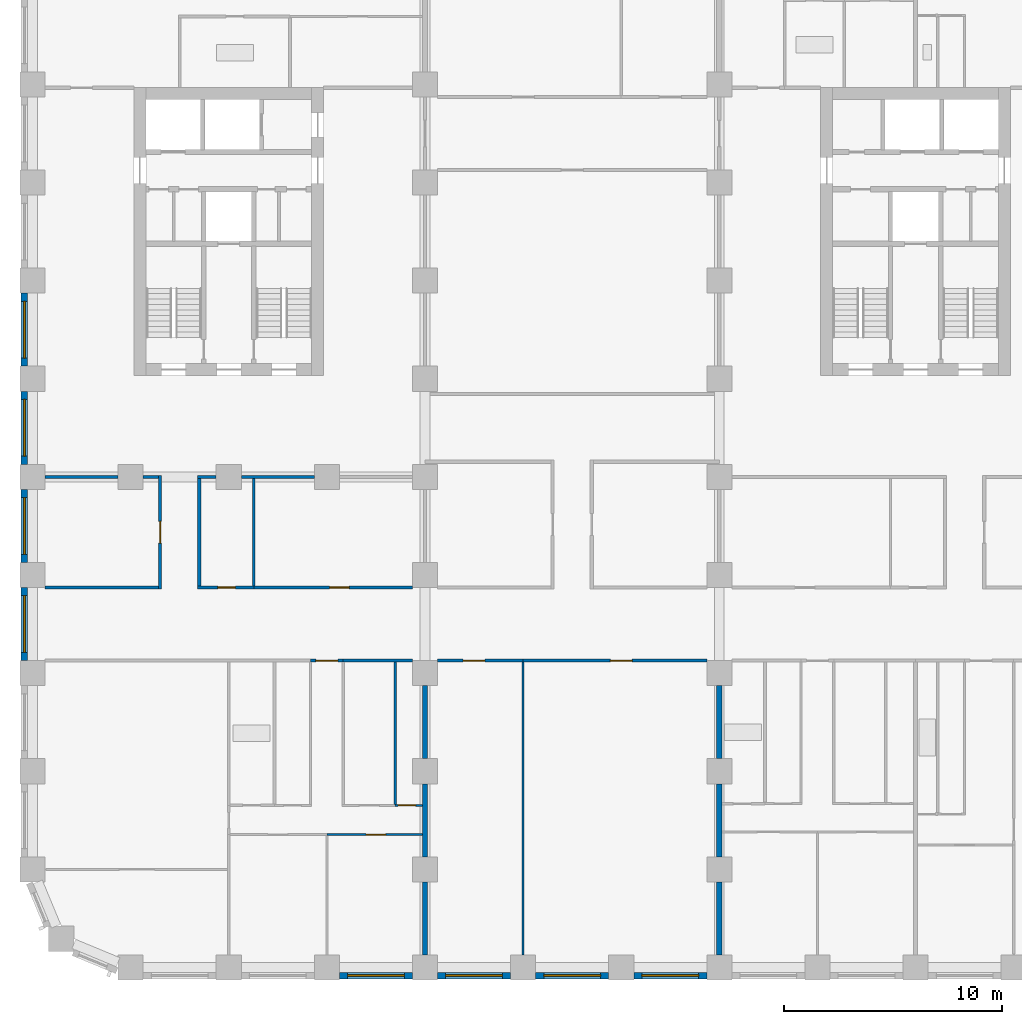
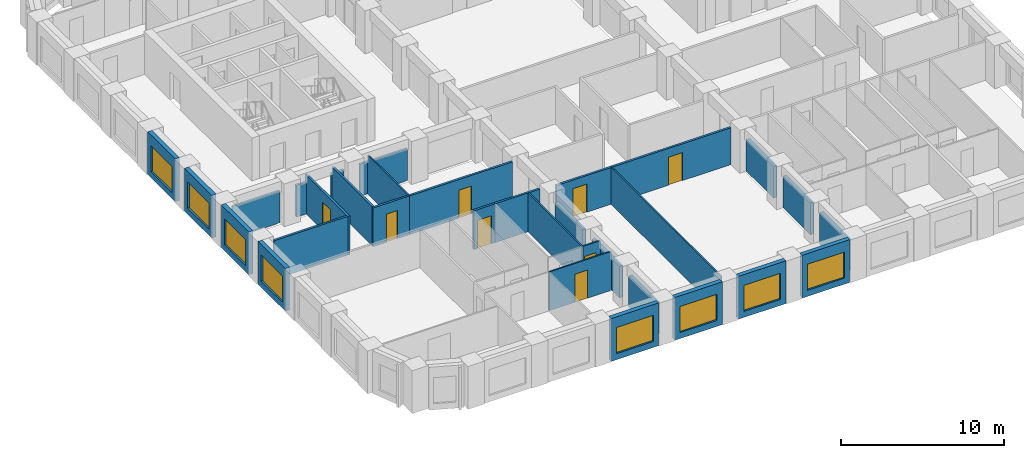
# One storey, part 3 of 12: 32 walls, 8 doors, 8 windows, 16 openings.
"""IFC4 building model written with IfcOpenShell, lengths in metres."""

from ifc_helpers import new_model, si_unit, direction, frame, frame_2d, origin, place, context, subcontext, project, spatial, rectangle, extrude, material, layer, layer_set, type_object, element, fill, save


model = new_model("IFC4")

# Units and contexts
model_context = context("Model", 3, precision=1e-05, world=origin(), true_north=direction((0.0, 1.0)))
body_context = subcontext(model_context, "Body", "Model", "MODEL_VIEW")
ifc_project = project(units=[si_unit("LENGTHUNIT", "METRE"), si_unit("AREAUNIT", "SQUARE_METRE"), si_unit("VOLUMEUNIT", "CUBIC_METRE"), si_unit("PLANEANGLEUNIT", "RADIAN"), si_unit("MASSUNIT", "GRAM", prefix="KILO")], contexts=[model_context])

# Site, building, storey
site_placement = place(None, origin())
site = spatial("IfcSite", under=ifc_project, at=site_placement, CompositionType="ELEMENT")
building_placement = place(site_placement, origin())
building = spatial("IfcBuilding", under=site, at=building_placement, Name="Girih Gate Residences", CompositionType="ELEMENT")
storey_placement = place(building_placement, frame((0.0, 0.0, 108.800048828125)))
storey = spatial("IfcBuildingStorey", under=building, at=storey_placement, Name="L30", CompositionType="ELEMENT", Elevation=108.800048828125)

# Walls
ifc_material_1 = material(Name="Gypsum board on steel studs", Category="steel")
ifc_layer_1 = layer(ifc_material_1, 0.25)
ifc_layer_set_1 = layer_set([ifc_layer_1], Name="Acoustic separating wall 250 mm")
wall_type_1 = type_object("IfcWallType", Name="Acoustic separating wall 250 mm", PredefinedType="PARTITIONING", material=ifc_layer_set_1)
for number, where, z_axis, x_axis, name in (
    (1, (18.0, 5.074951171875, 0.0), (0.0, 0.0, 1.0), (0.0, 1.0, 0.0), "L30 partition"),
    (2, (18.0, 0.574951171875, 0.0), (0.0, 0.0, 1.0), (0.0, 1.0, 0.0), "L30 partition"),
    (3, (18.0, 9.574951171875, 0.0), (0.0, 0.0, 1.0), (0.0, 1.0, 0.0), "L30 partition"),
    (4, (31.5, 9.574951171875, 0.0), (0.0, 0.0, 1.0), (0.0, 1.0, 0.0), "L30 partition"),
    (5, (31.5, 0.574951171875, 0.0), (0.0, 0.0, 1.0), (0.0, 1.0, 0.0), "L30 partition"),
    (6, (31.5, 5.074951171875, 0.0), (0.0, 0.0, 1.0), (0.0, 1.0, 0.0), "L30 partition"),
):
    element("IfcWall", number, at=place(storey_placement, frame(where, z_axis=z_axis, x_axis=x_axis)), inside=storey, type_object=wall_type_1, Name=name, PredefinedType="PARTITIONING", context=body_context, shape_type="SweptSolid", body=[
        extrude(rectangle(XDim=3.35009765625, YDim=0.25, at=frame_2d((1.675048828125, 0.0))), origin(), (0.0, 0.0, 1.0), 2.3798828125),
    ])

# Wall, opening, door
ifc_layer_2 = layer(ifc_material_1, 0.14990234375)
ifc_layer_set_2 = layer_set([ifc_layer_2], Name="Compartment wall 150 mm")
wall_type_2 = type_object("IfcWallType", Name="Compartment wall 150 mm", PredefinedType="PARTITIONING", material=ifc_layer_set_2)
wall_1_placement = place(storey_placement, frame((14.25, 14.074951171875, 0.0), z_axis=(0.0, 0.0, 1.0), x_axis=(-1.0, 0.0, 0.0)))
wall_1 = element("IfcWall", 7, at=wall_1_placement, inside=storey, type_object=wall_type_2, Name="L30 partition", PredefinedType="PARTITIONING", context=body_context, shape_type="SweptSolid", body=[
    extrude(rectangle(XDim=1.5, YDim=0.14990234375, at=frame_2d((0.75, 0.0))), origin(), (0.0, 0.0, 1.0), 2.89990234375),
])
opening_1_placement = place(wall_1_placement, frame((0.25, 0.0, 0.0)))
opening_1 = element("IfcOpeningElement", 8, at=opening_1_placement, cuts=wall_1, Name="Opening A30-009", PredefinedType="OPENING", context=body_context, shape_type="SweptSolid", body=[
    extrude(rectangle(XDim=1.0, YDim=2.10009765625, at=frame_2d((0.5, 1.050048828125))), frame((0.0, 0.0849609375, 0.0), z_axis=(0.0, -1.0, 0.0), x_axis=(1.0, 0.0, 0.0)), (0.0, 0.0, 1.0), 0.169921875),
])
ifc_material_2 = material(Name="Timber, fire-rated core", Category="wood")
door_type_1 = type_object("IfcDoorType", Name="Flat entrance door 1000x2100 FD30S", OperationType="NOTDEFINED", PredefinedType="DOOR", material=ifc_material_2)
door_1_placement = place(opening_1_placement, origin())
door_1 = element("IfcDoor", 9, at=door_1_placement, inside=storey, type_object=door_type_1, Name="Door A30-009", OperationType="SINGLE_SWING_RIGHT", OverallHeight=2.10009765625, OverallWidth=1.0, PredefinedType="DOOR", context=body_context, shape_type="SweptSolid", body=[
    extrude(rectangle(XDim=1.0, YDim=2.10009765625, at=frame_2d((0.5, 1.050048828125))), frame((0.0, 0.02490234375, 0.0), z_axis=(0.0, -1.0, 0.0), x_axis=(1.0, 0.0, 0.0)), (0.0, 0.0, 1.0), 0.050048828125),
])
fill(opening_1, door_1)

# Wall
wall_2_placement = place(storey_placement, frame((14.25, 14.074951171875, 0.0), z_axis=(0.0, 0.0, 1.0), x_axis=(1.0, 0.0, 0.0)))
element("IfcWall", 10, at=wall_2_placement, inside=storey, type_object=wall_type_2, Name="L30 partition", PredefinedType="PARTITIONING", context=body_context, shape_type="SweptSolid", body=[
    extrude(rectangle(XDim=3.175048828125, YDim=0.14990234375, at=frame_2d((1.58740234375, 0.0))), origin(), (0.0, 0.0, 1.0), 2.89990234375),
])

# Wall, opening, door
wall_3_placement = place(storey_placement, frame((22.5, 14.074951171875, 0.0), z_axis=(0.0, 0.0, 1.0), x_axis=(-1.0, 0.0, 0.0)))
wall_3 = element("IfcWall", 11, at=wall_3_placement, inside=storey, type_object=wall_type_2, Name="L30 partition", PredefinedType="PARTITIONING", context=body_context, shape_type="SweptSolid", body=[
    extrude(rectangle(XDim=3.925048828125, YDim=0.14990234375, at=frame_2d((1.96240234375, 0.0))), origin(), (0.0, 0.0, 1.0), 2.75),
])
opening_2_placement = place(wall_3_placement, frame((1.75, 0.0, 0.0)))
opening_2 = element("IfcOpeningElement", 12, at=opening_2_placement, cuts=wall_3, Name="Opening A30-044", PredefinedType="OPENING", context=body_context, shape_type="SweptSolid", body=[
    extrude(rectangle(XDim=1.0, YDim=2.10009765625, at=frame_2d((0.5, 1.050048828125))), frame((0.0, 0.0849609375, 0.0), z_axis=(0.0, -1.0, 0.0), x_axis=(1.0, 0.0, 0.0)), (0.0, 0.0, 1.0), 0.169921875),
])
door_type_2 = type_object("IfcDoorType", Name="Amenity room door 1000x2100 FD30S", OperationType="NOTDEFINED", PredefinedType="DOOR", material=ifc_material_2)
door_2_placement = place(opening_2_placement, origin())
door_2 = element("IfcDoor", 13, at=door_2_placement, inside=storey, type_object=door_type_2, Name="Door A30-044", OperationType="SINGLE_SWING_RIGHT", OverallHeight=2.10009765625, OverallWidth=1.0, PredefinedType="DOOR", context=body_context, shape_type="SweptSolid", body=[
    extrude(rectangle(XDim=1.0, YDim=2.10009765625, at=frame_2d((0.5, 1.050048828125))), frame((0.0, 0.02490234375, 0.0), z_axis=(0.0, -1.0, 0.0), x_axis=(1.0, 0.0, 0.0)), (0.0, 0.0, 1.0), 0.050048828125),
])
fill(opening_2, door_2)

wall_4_placement = place(storey_placement, frame((30.925048828125, 14.074951171875, 0.0), z_axis=(0.0, 0.0, 1.0), x_axis=(-1.0, 0.0, 0.0)))
wall_4 = element("IfcWall", 14, at=wall_4_placement, inside=storey, type_object=wall_type_2, Name="L30 partition", PredefinedType="PARTITIONING", context=body_context, shape_type="SweptSolid", body=[
    extrude(rectangle(XDim=8.425048828125, YDim=0.14990234375, at=frame_2d((4.21240234375, 0.0))), origin(), (0.0, 0.0, 1.0), 2.75),
])
opening_3_placement = place(wall_4_placement, frame((3.425048828125, 0.0, 0.0)))
opening_3 = element("IfcOpeningElement", 15, at=opening_3_placement, cuts=wall_4, Name="Opening A30-045", PredefinedType="OPENING", context=body_context, shape_type="SweptSolid", body=[
    extrude(rectangle(XDim=1.0, YDim=2.10009765625, at=frame_2d((0.5, 1.050048828125))), frame((0.0, 0.0849609375, 0.0), z_axis=(0.0, -1.0, 0.0), x_axis=(1.0, 0.0, 0.0)), (0.0, 0.0, 1.0), 0.169921875),
])
door_3_placement = place(opening_3_placement, origin())
door_3 = element("IfcDoor", 16, at=door_3_placement, inside=storey, type_object=door_type_2, Name="Door A30-045", OperationType="SINGLE_SWING_LEFT", OverallHeight=2.10009765625, OverallWidth=1.0, PredefinedType="DOOR", context=body_context, shape_type="SweptSolid", body=[
    extrude(rectangle(XDim=1.0, YDim=2.10009765625, at=frame_2d((0.5, 1.050048828125))), frame((0.0, 0.02490234375, 0.0), z_axis=(0.0, -1.0, 0.0), x_axis=(1.0, 0.0, 0.0)), (0.0, 0.0, 1.0), 0.050048828125),
])
fill(opening_3, door_3)

wall_5_placement = place(storey_placement, frame((10.14990234375, 17.425048828125, 0.0), z_axis=(0.0, 0.0, 1.0), x_axis=(1.0, 0.0, 0.0)))
wall_5 = element("IfcWall", 17, at=wall_5_placement, inside=storey, type_object=wall_type_2, Name="L30 partition", PredefinedType="PARTITIONING", context=body_context, shape_type="SweptSolid", body=[
    extrude(rectangle(XDim=7.275146484375, YDim=0.14990234375, at=frame_2d((3.6376953125, 0.0))), origin(), (0.0, 0.0, 1.0), 2.89990234375),
])
opening_4_placement = place(wall_5_placement, frame((3.47509765625, 0.0, 0.0)))
opening_4 = element("IfcOpeningElement", 18, at=opening_4_placement, cuts=wall_5, Name="Opening A30-049", PredefinedType="OPENING", context=body_context, shape_type="SweptSolid", body=[
    extrude(rectangle(XDim=0.89990234375, YDim=2.10009765625, at=frame_2d((0.449951171875, 1.050048828125))), frame((0.0, 0.0849609375, 0.0), z_axis=(0.0, -1.0, 0.0), x_axis=(1.0, 0.0, 0.0)), (0.0, 0.0, 1.0), 0.169921875),
])
ifc_material_3 = material(Name="Timber", Category="wood")
door_type_3 = type_object("IfcDoorType", Name="Service room door 900x2100", OperationType="NOTDEFINED", PredefinedType="DOOR", material=ifc_material_3)
door_4_placement = place(opening_4_placement, origin())
door_4 = element("IfcDoor", 19, at=door_4_placement, inside=storey, type_object=door_type_3, Name="Door A30-049", OperationType="SINGLE_SWING_RIGHT", OverallHeight=2.10009765625, OverallWidth=0.89990234375, PredefinedType="DOOR", context=body_context, shape_type="SweptSolid", body=[
    extrude(rectangle(XDim=0.89990234375, YDim=2.10009765625, at=frame_2d((0.449951171875, 1.050048828125))), frame((0.0, 0.02490234375, 0.0), z_axis=(0.0, -1.0, 0.0), x_axis=(1.0, 0.0, 0.0)), (0.0, 0.0, 1.0), 0.050048828125),
])
fill(opening_4, door_4)

wall_6_placement = place(storey_placement, frame((7.574951171875, 17.425048828125, 0.0), z_axis=(0.0, 0.0, 1.0), x_axis=(1.0, 0.0, 0.0)))
wall_6 = element("IfcWall", 20, at=wall_6_placement, inside=storey, type_object=wall_type_2, Name="L30 partition", PredefinedType="PARTITIONING", context=body_context, shape_type="SweptSolid", body=[
    extrude(rectangle(XDim=2.574951171875, YDim=0.14990234375, at=frame_2d((1.28759765625, 0.0))), origin(), (0.0, 0.0, 1.0), 2.89990234375),
])
opening_5_placement = place(wall_6_placement, frame((0.925048828125, 0.0, 0.0)))
opening_5 = element("IfcOpeningElement", 21, at=opening_5_placement, cuts=wall_6, Name="Opening A30-051", PredefinedType="OPENING", context=body_context, shape_type="SweptSolid", body=[
    extrude(rectangle(XDim=0.800048828125, YDim=2.10009765625, at=frame_2d((0.39990234375, 1.050048828125))), frame((0.0, 0.0849609375, 0.0), z_axis=(0.0, -1.0, 0.0), x_axis=(1.0, 0.0, 0.0)), (0.0, 0.0, 1.0), 0.169921875),
])
door_type_4 = type_object("IfcDoorType", Name="Bathroom door 800x2100", OperationType="NOTDEFINED", PredefinedType="DOOR", material=ifc_material_3)
door_5_placement = place(opening_5_placement, origin())
door_5 = element("IfcDoor", 22, at=door_5_placement, inside=storey, type_object=door_type_4, Name="Door A30-051", OperationType="SINGLE_SWING_RIGHT", OverallHeight=2.10009765625, OverallWidth=0.800048828125, PredefinedType="DOOR", context=body_context, shape_type="SweptSolid", body=[
    extrude(rectangle(XDim=0.800048828125, YDim=2.10009765625, at=frame_2d((0.39990234375, 1.050048828125))), frame((0.0, 0.02490234375, 0.0), z_axis=(0.0, -1.0, 0.0), x_axis=(1.0, 0.0, 0.0)), (0.0, 0.0, 1.0), 0.050048828125),
])
fill(opening_5, door_5)

# Walls
wall_7_placement = place(storey_placement, frame((0.574951171875, 17.425048828125, 0.0), z_axis=(0.0, 0.0, 1.0), x_axis=(1.0, 0.0, 0.0)))
element("IfcWall", 23, at=wall_7_placement, inside=storey, type_object=wall_type_2, Name="L30 partition", PredefinedType="PARTITIONING", context=body_context, shape_type="SweptSolid", body=[
    extrude(rectangle(XDim=5.199951171875, YDim=0.14990234375, at=frame_2d((2.60009765625, 0.0))), origin(), (0.0, 0.0, 1.0), 2.89990234375),
])
wall_8_placement = place(storey_placement, frame((9.574951171875, 22.5, 0.0), z_axis=(0.0, 0.0, 1.0), x_axis=(1.0, 0.0, 0.0)))
element("IfcWall", 24, at=wall_8_placement, inside=storey, type_object=wall_type_2, Name="L30 partition", PredefinedType="PARTITIONING", context=body_context, shape_type="SweptSolid", body=[
    extrude(rectangle(XDim=3.35009765625, YDim=0.14990234375, at=frame_2d((1.675048828125, 0.0))), origin(), (0.0, 0.0, 1.0), 2.3798828125),
])
wall_9_placement = place(storey_placement, frame((7.574951171875, 22.5, 0.0), z_axis=(0.0, 0.0, 1.0), x_axis=(1.0, 0.0, 0.0)))
element("IfcWall", 25, at=wall_9_placement, inside=storey, type_object=wall_type_2, Name="L30 partition", PredefinedType="PARTITIONING", context=body_context, shape_type="SweptSolid", body=[
    extrude(rectangle(XDim=0.85009765625, YDim=0.14990234375, at=frame_2d((0.425048828125, 0.0))), origin(), (0.0, 0.0, 1.0), 2.3798828125),
])
wall_10_placement = place(storey_placement, frame((5.074951171875, 22.5, 0.0), z_axis=(0.0, 0.0, 1.0), x_axis=(1.0, 0.0, 0.0)))
element("IfcWall", 26, at=wall_10_placement, inside=storey, type_object=wall_type_2, Name="L30 partition", PredefinedType="PARTITIONING", context=body_context, shape_type="SweptSolid", body=[
    extrude(rectangle(XDim=0.699951171875, YDim=0.14990234375, at=frame_2d((0.35009765625, 0.0))), origin(), (0.0, 0.0, 1.0), 2.3798828125),
])
wall_11_placement = place(storey_placement, frame((0.574951171875, 22.5, 0.0), z_axis=(0.0, 0.0, 1.0), x_axis=(1.0, 0.0, 0.0)))
element("IfcWall", 27, at=wall_11_placement, inside=storey, type_object=wall_type_2, Name="L30 partition", PredefinedType="PARTITIONING", context=body_context, shape_type="SweptSolid", body=[
    extrude(rectangle(XDim=3.35009765625, YDim=0.14990234375, at=frame_2d((1.675048828125, 0.0))), origin(), (0.0, 0.0, 1.0), 2.3798828125),
])
wall_12_placement = place(storey_placement, frame((7.64990234375, 17.5, 0.0), z_axis=(0.0, 0.0, 1.0), x_axis=(0.0, 1.0, 0.0)))
element("IfcWall", 28, at=wall_12_placement, inside=storey, type_object=wall_type_2, Name="L30 partition", PredefinedType="PARTITIONING", context=body_context, shape_type="SweptSolid", body=[
    extrude(rectangle(XDim=4.925048828125, YDim=0.14990234375, at=frame_2d((2.46240234375, 0.0))), origin(), (0.0, 0.0, 1.0), 2.89990234375),
])

# Wall, opening, door
wall_13_placement = place(storey_placement, frame((5.85009765625, 17.35009765625, 0.0), z_axis=(0.0, 0.0, 1.0), x_axis=(0.0, 1.0, 0.0)))
wall_13 = element("IfcWall", 29, at=wall_13_placement, inside=storey, type_object=wall_type_2, Name="L30 partition", PredefinedType="PARTITIONING", context=body_context, shape_type="SweptSolid", body=[
    extrude(rectangle(XDim=5.224853515625, YDim=0.14990234375, at=frame_2d((2.6123046875, 0.0))), origin(), (0.0, 0.0, 1.0), 2.89990234375),
])
opening_6_placement = place(wall_13_placement, frame((2.112548828125, 0.0, 0.0)))
opening_6 = element("IfcOpeningElement", 30, at=opening_6_placement, cuts=wall_13, Name="Opening A30-053", PredefinedType="OPENING", context=body_context, shape_type="SweptSolid", body=[
    extrude(rectangle(XDim=1.0, YDim=2.10009765625, at=frame_2d((0.5, 1.050048828125))), frame((0.0, 0.0849609375, 0.0), z_axis=(0.0, -1.0, 0.0), x_axis=(1.0, 0.0, 0.0)), (0.0, 0.0, 1.0), 0.169921875),
])
door_6_placement = place(opening_6_placement, origin())
door_6 = element("IfcDoor", 31, at=door_6_placement, inside=storey, type_object=door_type_2, Name="Door A30-053", OperationType="SINGLE_SWING_LEFT", OverallHeight=2.10009765625, OverallWidth=1.0, PredefinedType="DOOR", context=body_context, shape_type="SweptSolid", body=[
    extrude(rectangle(XDim=1.0, YDim=2.10009765625, at=frame_2d((0.5, 1.050048828125))), frame((0.0, 0.02490234375, 0.0), z_axis=(0.0, -1.0, 0.0), x_axis=(1.0, 0.0, 0.0)), (0.0, 0.0, 1.0), 0.050048828125),
])
fill(opening_6, door_6)

ifc_layer_3 = layer(ifc_material_1, 0.10009765625)
ifc_layer_set_3 = layer_set([ifc_layer_3], Name="Partition 100 mm")
wall_type_3 = type_object("IfcWallType", Name="Partition 100 mm", PredefinedType="PARTITIONING", material=ifc_layer_set_3)
wall_14_placement = place(storey_placement, frame((17.875, 6.094970703125, 0.0), z_axis=(0.0, 0.0, 1.0), x_axis=(-1.0, 0.0, 0.0)))
wall_14 = element("IfcWall", 32, at=wall_14_placement, inside=storey, type_object=wall_type_3, Name="L30 partition", PredefinedType="PARTITIONING", context=body_context, shape_type="SweptSolid", body=[
    extrude(rectangle(XDim=4.375, YDim=0.10009765625, at=frame_2d((2.1875, 0.0))), origin(), (0.0, 0.0, 1.0), 2.89990234375),
])
opening_7_placement = place(wall_14_placement, frame((1.675048828125, 0.0, 0.0)))
opening_7 = element("IfcOpeningElement", 33, at=opening_7_placement, cuts=wall_14, Name="Opening A30-003", PredefinedType="OPENING", context=body_context, shape_type="SweptSolid", body=[
    extrude(rectangle(XDim=0.89990234375, YDim=2.10009765625, at=frame_2d((0.449951171875, 1.050048828125))), frame((0.0, 0.06005859375, 0.0), z_axis=(0.0, -1.0, 0.0), x_axis=(1.0, 0.0, 0.0)), (0.0, 0.0, 1.0), 0.1201171875),
])
door_type_5 = type_object("IfcDoorType", Name="Bedroom door 900x2100", OperationType="NOTDEFINED", PredefinedType="DOOR", material=ifc_material_3)
door_7_placement = place(opening_7_placement, origin())
door_7 = element("IfcDoor", 34, at=door_7_placement, inside=storey, type_object=door_type_5, Name="Door A30-003", OperationType="SINGLE_SWING_LEFT", OverallHeight=2.10009765625, OverallWidth=0.89990234375, PredefinedType="DOOR", context=body_context, shape_type="SweptSolid", body=[
    extrude(rectangle(XDim=0.89990234375, YDim=2.10009765625, at=frame_2d((0.449951171875, 1.050048828125))), frame((0.0, 0.02490234375, 0.0), z_axis=(0.0, -1.0, 0.0), x_axis=(1.0, 0.0, 0.0)), (0.0, 0.0, 1.0), 0.050048828125),
])
fill(opening_7, door_7)

wall_15_placement = place(storey_placement, frame((16.635009765625, 7.43505859375, 0.0), z_axis=(0.0, 0.0, 1.0), x_axis=(1.0, 0.0, 0.0)))
wall_15 = element("IfcWall", 35, at=wall_15_placement, inside=storey, type_object=wall_type_3, Name="L30 partition", PredefinedType="PARTITIONING", context=body_context, shape_type="SweptSolid", body=[
    extrude(rectangle(XDim=1.239990234375, YDim=0.10009765625, at=frame_2d((0.6201171875, 0.0))), origin(), (0.0, 0.0, 1.0), 2.89990234375),
])
opening_8_placement = place(wall_15_placement, frame((0.1298828125, 0.0, 0.0)))
opening_8 = element("IfcOpeningElement", 36, at=opening_8_placement, cuts=wall_15, Name="Opening A30-007", PredefinedType="OPENING", context=body_context, shape_type="SweptSolid", body=[
    extrude(rectangle(XDim=0.800048828125, YDim=2.10009765625, at=frame_2d((0.39990234375, 1.050048828125))), frame((0.0, 0.06005859375, 0.0), z_axis=(0.0, -1.0, 0.0), x_axis=(1.0, 0.0, 0.0)), (0.0, 0.0, 1.0), 0.1201171875),
])
door_type_6 = type_object("IfcDoorType", Name="Store door 800x2100", OperationType="NOTDEFINED", PredefinedType="DOOR", material=ifc_material_3)
door_8_placement = place(opening_8_placement, origin())
door_8 = element("IfcDoor", 37, at=door_8_placement, inside=storey, type_object=door_type_6, Name="Door A30-007", OperationType="SINGLE_SWING_LEFT", OverallHeight=2.10009765625, OverallWidth=0.800048828125, PredefinedType="DOOR", context=body_context, shape_type="SweptSolid", body=[
    extrude(rectangle(XDim=0.800048828125, YDim=2.10009765625, at=frame_2d((0.39990234375, 1.050048828125))), frame((0.0, 0.02490234375, 0.0), z_axis=(0.0, -1.0, 0.0), x_axis=(1.0, 0.0, 0.0)), (0.0, 0.0, 1.0), 0.050048828125),
])
fill(opening_8, door_8)

# Walls
wall_16_placement = place(storey_placement, frame((16.635009765625, 7.485107421875, 0.0), z_axis=(0.0, 0.0, 1.0), x_axis=(0.0, 1.0, 0.0)))
element("IfcWall", 38, at=wall_16_placement, inside=storey, type_object=wall_type_3, Name="L30 partition", PredefinedType="PARTITIONING", context=body_context, shape_type="SweptSolid", body=[
    extrude(rectangle(XDim=6.514892578125, YDim=0.10009765625, at=frame_2d((3.25732421875, 0.0))), origin(), (0.0, 0.0, 1.0), 2.89990234375),
])
wall_17_placement = place(storey_placement, frame((22.5, 0.574951171875, 0.0), z_axis=(0.0, 0.0, 1.0), x_axis=(0.0, 1.0, 0.0)))
element("IfcWall", 39, at=wall_17_placement, inside=storey, type_object=wall_type_3, Name="L30 partition", PredefinedType="PARTITIONING", context=body_context, shape_type="SweptSolid", body=[
    extrude(rectangle(XDim=13.425048828125, YDim=0.10009765625, at=frame_2d((6.71240234375, 0.0))), origin(), (0.0, 0.0, 1.0), 2.75),
])
wall_18_placement = place(storey_placement, frame((10.14990234375, 17.5, 0.0), z_axis=(0.0, 0.0, 1.0), x_axis=(0.0, 1.0, 0.0)))
element("IfcWall", 40, at=wall_18_placement, inside=storey, type_object=wall_type_3, Name="L30 partition", PredefinedType="PARTITIONING", context=body_context, shape_type="SweptSolid", body=[
    extrude(rectangle(XDim=4.925048828125, YDim=0.10009765625, at=frame_2d((2.46240234375, 0.0))), origin(), (0.0, 0.0, 1.0), 2.89990234375),
])

# Wall, opening, window
ifc_material_4 = material(Name="Precast concrete C50/60", Category="concrete")
ifc_layer_4 = layer(ifc_material_4, 0.080078125, Name="Outer leaf")
ifc_material_5 = material(Name="Rigid PIR insulation")
ifc_layer_5 = layer(ifc_material_5, 0.14990234375, Name="Insulation")
ifc_material_6 = material(Name="Precast concrete C40/50", Category="concrete")
ifc_layer_6 = layer(ifc_material_6, 0.070068359375, Name="Inner leaf")
ifc_layer_set_4 = layer_set([ifc_layer_4, ifc_layer_5, ifc_layer_6], Name="Precast concrete C50/60 external wall 300")
wall_type_4 = type_object("IfcWallType", Name="Precast concrete C50/60 external wall 300", PredefinedType="SOLIDWALL", material=ifc_layer_set_4)
wall_19_placement = place(storey_placement, frame((17.425048828125, -0.375, 0.0), z_axis=(0.0, 0.0, 1.0), x_axis=(-1.0, 0.0, 0.0)))
wall_19 = element("IfcWall", 41, at=wall_19_placement, inside=storey, type_object=wall_type_4, Name="External wall S0045_0000.2", PredefinedType="SOLIDWALL", context=body_context, shape_type="SweptSolid", body=[
    extrude(rectangle(XDim=3.35009765625, YDim=0.300048828125, at=frame_2d((1.675048828125, 0.0))), origin(), (0.0, 0.0, 1.0), 3.199951171875),
])
opening_9_placement = place(wall_19_placement, frame((0.375, 0.0, 0.449951171875)))
opening_9 = element("IfcOpeningElement", 42, at=opening_9_placement, cuts=wall_19, Name="Opening W-1A", PredefinedType="OPENING", context=body_context, shape_type="SweptSolid", body=[
    extrude(rectangle(XDim=2.60009765625, YDim=1.949951171875, at=frame_2d((1.300048828125, 0.97509765625))), frame((0.0, 0.159912109375, 0.0), z_axis=(0.0, -1.0, 0.0), x_axis=(1.0, 0.0, 0.0)), (0.0, 0.0, 1.0), 0.320068359375),
])
ifc_material_7 = material(Name="Double glazing in aluminium frame", Category="aluminium")
window_type = type_object("IfcWindowType", Name="Window W-1A 2600x1950", PartitioningType="SINGLE_PANEL", PredefinedType="WINDOW", material=ifc_material_7)
window_1_placement = place(opening_9_placement, origin())
window_1 = element("IfcWindow", 43, at=window_1_placement, inside=storey, type_object=window_type, Name="Window W-1A S0045_0000.2", OverallHeight=1.949951171875, OverallWidth=2.60009765625, PartitioningType="SINGLE_PANEL", PredefinedType="WINDOW", context=body_context, shape_type="SweptSolid", body=[
    extrude(rectangle(XDim=2.60009765625, YDim=1.949951171875, at=frame_2d((1.300048828125, 0.97509765625))), frame((0.0, 0.030029296875, 0.0), z_axis=(0.0, -1.0, 0.0), x_axis=(1.0, 0.0, 0.0)), (0.0, 0.0, 1.0), 0.06005859375),
])
fill(opening_9, window_1)

wall_20_placement = place(storey_placement, frame((21.925048828125, -0.375, 0.0), z_axis=(0.0, 0.0, 1.0), x_axis=(-1.0, 0.0, 0.0)))
wall_20 = element("IfcWall", 44, at=wall_20_placement, inside=storey, type_object=wall_type_4, Name="External wall S0045_0000.3", PredefinedType="SOLIDWALL", context=body_context, shape_type="SweptSolid", body=[
    extrude(rectangle(XDim=3.35009765625, YDim=0.300048828125, at=frame_2d((1.675048828125, 0.0))), origin(), (0.0, 0.0, 1.0), 3.199951171875),
])
opening_10_placement = place(wall_20_placement, frame((0.375, 0.0, 0.449951171875)))
opening_10 = element("IfcOpeningElement", 45, at=opening_10_placement, cuts=wall_20, Name="Opening W-1A", PredefinedType="OPENING", context=body_context, shape_type="SweptSolid", body=[
    extrude(rectangle(XDim=2.60009765625, YDim=1.949951171875, at=frame_2d((1.300048828125, 0.97509765625))), frame((0.0, 0.159912109375, 0.0), z_axis=(0.0, -1.0, 0.0), x_axis=(1.0, 0.0, 0.0)), (0.0, 0.0, 1.0), 0.320068359375),
])
window_2_placement = place(opening_10_placement, origin())
window_2 = element("IfcWindow", 46, at=window_2_placement, inside=storey, type_object=window_type, Name="Window W-1A S0045_0000.3", OverallHeight=1.949951171875, OverallWidth=2.60009765625, PartitioningType="SINGLE_PANEL", PredefinedType="WINDOW", context=body_context, shape_type="SweptSolid", body=[
    extrude(rectangle(XDim=2.60009765625, YDim=1.949951171875, at=frame_2d((1.300048828125, 0.97509765625))), frame((0.0, 0.030029296875, 0.0), z_axis=(0.0, -1.0, 0.0), x_axis=(1.0, 0.0, 0.0)), (0.0, 0.0, 1.0), 0.06005859375),
])
fill(opening_10, window_2)

wall_21_placement = place(storey_placement, frame((26.425048828125, -0.375, 0.0), z_axis=(0.0, 0.0, 1.0), x_axis=(-1.0, 0.0, 0.0)))
wall_21 = element("IfcWall", 47, at=wall_21_placement, inside=storey, type_object=wall_type_4, Name="External wall S0045_0000.4", PredefinedType="SOLIDWALL", context=body_context, shape_type="SweptSolid", body=[
    extrude(rectangle(XDim=3.35009765625, YDim=0.300048828125, at=frame_2d((1.675048828125, 0.0))), origin(), (0.0, 0.0, 1.0), 3.199951171875),
])
opening_11_placement = place(wall_21_placement, frame((0.375, 0.0, 0.449951171875)))
opening_11 = element("IfcOpeningElement", 48, at=opening_11_placement, cuts=wall_21, Name="Opening W-1A", PredefinedType="OPENING", context=body_context, shape_type="SweptSolid", body=[
    extrude(rectangle(XDim=2.60009765625, YDim=1.949951171875, at=frame_2d((1.300048828125, 0.97509765625))), frame((0.0, 0.159912109375, 0.0), z_axis=(0.0, -1.0, 0.0), x_axis=(1.0, 0.0, 0.0)), (0.0, 0.0, 1.0), 0.320068359375),
])
window_3_placement = place(opening_11_placement, origin())
window_3 = element("IfcWindow", 49, at=window_3_placement, inside=storey, type_object=window_type, Name="Window W-1A S0045_0000.4", OverallHeight=1.949951171875, OverallWidth=2.60009765625, PartitioningType="SINGLE_PANEL", PredefinedType="WINDOW", context=body_context, shape_type="SweptSolid", body=[
    extrude(rectangle(XDim=2.60009765625, YDim=1.949951171875, at=frame_2d((1.300048828125, 0.97509765625))), frame((0.0, 0.030029296875, 0.0), z_axis=(0.0, -1.0, 0.0), x_axis=(1.0, 0.0, 0.0)), (0.0, 0.0, 1.0), 0.06005859375),
])
fill(opening_11, window_3)

wall_22_placement = place(storey_placement, frame((30.925048828125, -0.375, 0.0), z_axis=(0.0, 0.0, 1.0), x_axis=(-1.0, 0.0, 0.0)))
wall_22 = element("IfcWall", 50, at=wall_22_placement, inside=storey, type_object=wall_type_4, Name="External wall S0045_0000.5", PredefinedType="SOLIDWALL", context=body_context, shape_type="SweptSolid", body=[
    extrude(rectangle(XDim=3.35009765625, YDim=0.300048828125, at=frame_2d((1.675048828125, 0.0))), origin(), (0.0, 0.0, 1.0), 3.199951171875),
])
opening_12_placement = place(wall_22_placement, frame((0.375, 0.0, 0.449951171875)))
opening_12 = element("IfcOpeningElement", 51, at=opening_12_placement, cuts=wall_22, Name="Opening W-1A", PredefinedType="OPENING", context=body_context, shape_type="SweptSolid", body=[
    extrude(rectangle(XDim=2.60009765625, YDim=1.949951171875, at=frame_2d((1.300048828125, 0.97509765625))), frame((0.0, 0.159912109375, 0.0), z_axis=(0.0, -1.0, 0.0), x_axis=(1.0, 0.0, 0.0)), (0.0, 0.0, 1.0), 0.320068359375),
])
window_4_placement = place(opening_12_placement, origin())
window_4 = element("IfcWindow", 52, at=window_4_placement, inside=storey, type_object=window_type, Name="Window W-1A S0045_0000.5", OverallHeight=1.949951171875, OverallWidth=2.60009765625, PartitioningType="SINGLE_PANEL", PredefinedType="WINDOW", context=body_context, shape_type="SweptSolid", body=[
    extrude(rectangle(XDim=2.60009765625, YDim=1.949951171875, at=frame_2d((1.300048828125, 0.97509765625))), frame((0.0, 0.030029296875, 0.0), z_axis=(0.0, -1.0, 0.0), x_axis=(1.0, 0.0, 0.0)), (0.0, 0.0, 1.0), 0.06005859375),
])
fill(opening_12, window_4)

wall_23_placement = place(storey_placement, frame((-0.375, 27.574951171875, 0.0), z_axis=(0.0, 0.0, 1.0), x_axis=(0.0, 1.0, 0.0)))
wall_23 = element("IfcWall", 53, at=wall_23_placement, inside=storey, type_object=wall_type_4, Name="External wall W0000_0450.3", PredefinedType="SOLIDWALL", context=body_context, shape_type="SweptSolid", body=[
    extrude(rectangle(XDim=3.35009765625, YDim=0.300048828125, at=frame_2d((1.675048828125, 0.0))), origin(), (0.0, 0.0, 1.0), 3.199951171875),
])
opening_13_placement = place(wall_23_placement, frame((0.375, 0.0, 0.449951171875)))
opening_13 = element("IfcOpeningElement", 54, at=opening_13_placement, cuts=wall_23, Name="Opening W-1A", PredefinedType="OPENING", context=body_context, shape_type="SweptSolid", body=[
    extrude(rectangle(XDim=2.60009765625, YDim=1.949951171875, at=frame_2d((1.300048828125, 0.97509765625))), frame((0.0, 0.159912109375, 0.0), z_axis=(0.0, -1.0, 0.0), x_axis=(1.0, 0.0, 0.0)), (0.0, 0.0, 1.0), 0.320068359375),
])
window_5_placement = place(opening_13_placement, origin())
window_5 = element("IfcWindow", 55, at=window_5_placement, inside=storey, type_object=window_type, Name="Window W-1A W0000_0450.3", OverallHeight=1.949951171875, OverallWidth=2.60009765625, PartitioningType="SINGLE_PANEL", PredefinedType="WINDOW", context=body_context, shape_type="SweptSolid", body=[
    extrude(rectangle(XDim=2.60009765625, YDim=1.949951171875, at=frame_2d((1.300048828125, 0.97509765625))), frame((0.0, 0.030029296875, 0.0), z_axis=(0.0, -1.0, 0.0), x_axis=(1.0, 0.0, 0.0)), (0.0, 0.0, 1.0), 0.06005859375),
])
fill(opening_13, window_5)

wall_24_placement = place(storey_placement, frame((-0.375, 23.074951171875, 0.0), z_axis=(0.0, 0.0, 1.0), x_axis=(0.0, 1.0, 0.0)))
wall_24 = element("IfcWall", 56, at=wall_24_placement, inside=storey, type_object=wall_type_4, Name="External wall W0000_0450.4", PredefinedType="SOLIDWALL", context=body_context, shape_type="SweptSolid", body=[
    extrude(rectangle(XDim=3.35009765625, YDim=0.300048828125, at=frame_2d((1.675048828125, 0.0))), origin(), (0.0, 0.0, 1.0), 3.199951171875),
])
opening_14_placement = place(wall_24_placement, frame((0.375, 0.0, 0.449951171875)))
opening_14 = element("IfcOpeningElement", 57, at=opening_14_placement, cuts=wall_24, Name="Opening W-1A", PredefinedType="OPENING", context=body_context, shape_type="SweptSolid", body=[
    extrude(rectangle(XDim=2.60009765625, YDim=1.949951171875, at=frame_2d((1.300048828125, 0.97509765625))), frame((0.0, 0.159912109375, 0.0), z_axis=(0.0, -1.0, 0.0), x_axis=(1.0, 0.0, 0.0)), (0.0, 0.0, 1.0), 0.320068359375),
])
window_6_placement = place(opening_14_placement, origin())
window_6 = element("IfcWindow", 58, at=window_6_placement, inside=storey, type_object=window_type, Name="Window W-1A W0000_0450.4", OverallHeight=1.949951171875, OverallWidth=2.60009765625, PartitioningType="SINGLE_PANEL", PredefinedType="WINDOW", context=body_context, shape_type="SweptSolid", body=[
    extrude(rectangle(XDim=2.60009765625, YDim=1.949951171875, at=frame_2d((1.300048828125, 0.97509765625))), frame((0.0, 0.030029296875, 0.0), z_axis=(0.0, -1.0, 0.0), x_axis=(1.0, 0.0, 0.0)), (0.0, 0.0, 1.0), 0.06005859375),
])
fill(opening_14, window_6)

wall_25_placement = place(storey_placement, frame((-0.375, 18.574951171875, 0.0), z_axis=(0.0, 0.0, 1.0), x_axis=(0.0, 1.0, 0.0)))
wall_25 = element("IfcWall", 59, at=wall_25_placement, inside=storey, type_object=wall_type_4, Name="External wall W0000_0450.5", PredefinedType="SOLIDWALL", context=body_context, shape_type="SweptSolid", body=[
    extrude(rectangle(XDim=3.35009765625, YDim=0.300048828125, at=frame_2d((1.675048828125, 0.0))), origin(), (0.0, 0.0, 1.0), 3.199951171875),
])
opening_15_placement = place(wall_25_placement, frame((0.375, 0.0, 0.449951171875)))
opening_15 = element("IfcOpeningElement", 60, at=opening_15_placement, cuts=wall_25, Name="Opening W-1A", PredefinedType="OPENING", context=body_context, shape_type="SweptSolid", body=[
    extrude(rectangle(XDim=2.60009765625, YDim=1.949951171875, at=frame_2d((1.300048828125, 0.97509765625))), frame((0.0, 0.159912109375, 0.0), z_axis=(0.0, -1.0, 0.0), x_axis=(1.0, 0.0, 0.0)), (0.0, 0.0, 1.0), 0.320068359375),
])
window_7_placement = place(opening_15_placement, origin())
window_7 = element("IfcWindow", 61, at=window_7_placement, inside=storey, type_object=window_type, Name="Window W-1A W0000_0450.5", OverallHeight=1.949951171875, OverallWidth=2.60009765625, PartitioningType="SINGLE_PANEL", PredefinedType="WINDOW", context=body_context, shape_type="SweptSolid", body=[
    extrude(rectangle(XDim=2.60009765625, YDim=1.949951171875, at=frame_2d((1.300048828125, 0.97509765625))), frame((0.0, 0.030029296875, 0.0), z_axis=(0.0, -1.0, 0.0), x_axis=(1.0, 0.0, 0.0)), (0.0, 0.0, 1.0), 0.06005859375),
])
fill(opening_15, window_7)

wall_26_placement = place(storey_placement, frame((-0.375, 14.074951171875, 0.0), z_axis=(0.0, 0.0, 1.0), x_axis=(0.0, 1.0, 0.0)))
wall_26 = element("IfcWall", 62, at=wall_26_placement, inside=storey, type_object=wall_type_4, Name="External wall W0000_0450.6", PredefinedType="SOLIDWALL", context=body_context, shape_type="SweptSolid", body=[
    extrude(rectangle(XDim=3.35009765625, YDim=0.300048828125, at=frame_2d((1.675048828125, 0.0))), origin(), (0.0, 0.0, 1.0), 3.199951171875),
])
opening_16_placement = place(wall_26_placement, frame((0.375, 0.0, 0.449951171875)))
opening_16 = element("IfcOpeningElement", 63, at=opening_16_placement, cuts=wall_26, Name="Opening W-1A", PredefinedType="OPENING", context=body_context, shape_type="SweptSolid", body=[
    extrude(rectangle(XDim=2.60009765625, YDim=1.949951171875, at=frame_2d((1.300048828125, 0.97509765625))), frame((0.0, 0.159912109375, 0.0), z_axis=(0.0, -1.0, 0.0), x_axis=(1.0, 0.0, 0.0)), (0.0, 0.0, 1.0), 0.320068359375),
])
window_8_placement = place(opening_16_placement, origin())
window_8 = element("IfcWindow", 64, at=window_8_placement, inside=storey, type_object=window_type, Name="Window W-1A W0000_0450.6", OverallHeight=1.949951171875, OverallWidth=2.60009765625, PartitioningType="SINGLE_PANEL", PredefinedType="WINDOW", context=body_context, shape_type="SweptSolid", body=[
    extrude(rectangle(XDim=2.60009765625, YDim=1.949951171875, at=frame_2d((1.300048828125, 0.97509765625))), frame((0.0, 0.030029296875, 0.0), z_axis=(0.0, -1.0, 0.0), x_axis=(1.0, 0.0, 0.0)), (0.0, 0.0, 1.0), 0.06005859375),
])
fill(opening_16, window_8)

save(model, "model.ifc")
